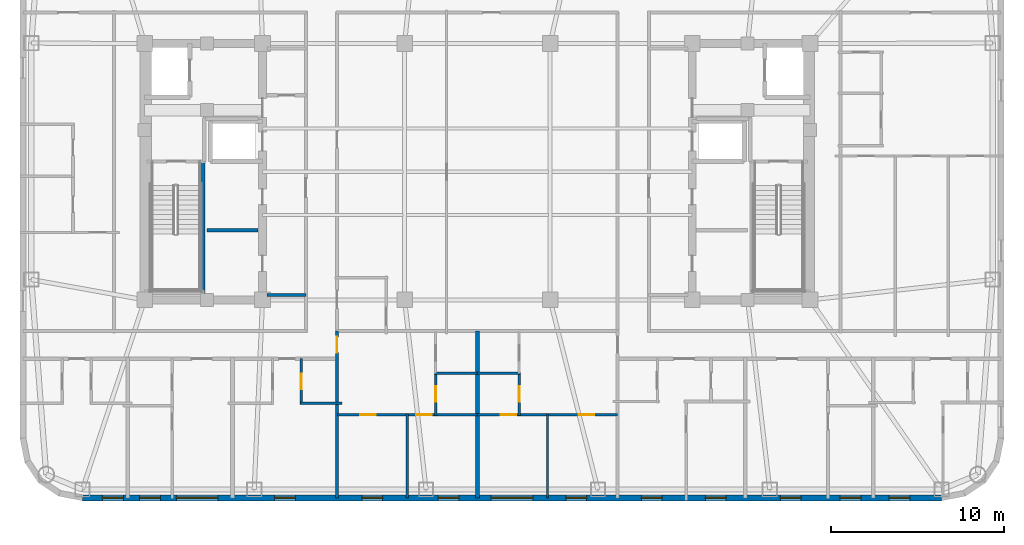
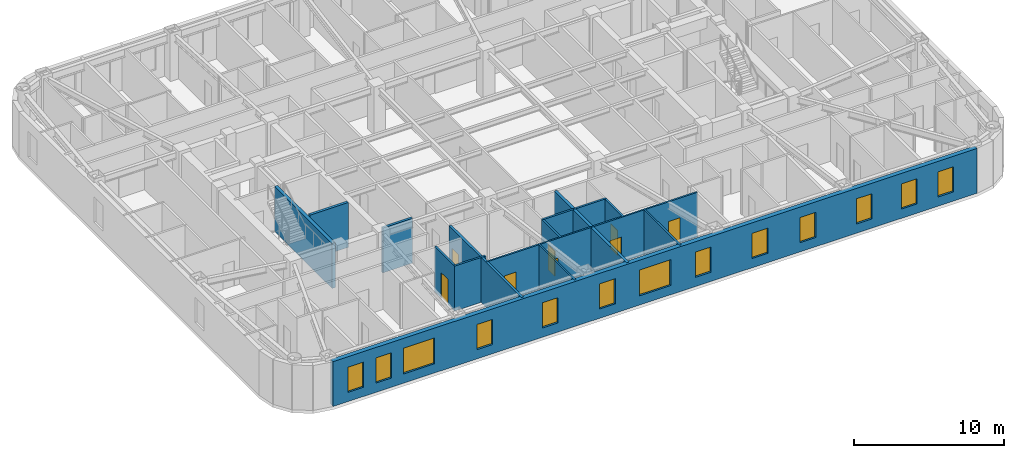
# One storey, part 3 of 11: 16 walls, 13 windows, 8 doors, 21 openings.
"""IFC4 building model written with IfcOpenShell, lengths in metres."""

import ifcopenshell
import ifcopenshell.guid

model = None  # the IFC model being written
_history = None  # IfcOwnerHistory: only IFC2X3 demands one
_inside = {}  # id of a spatial element -> (the spatial element, [elements in it])
_under = {}  # id of a project, library or spatial element -> (it, [spatial elements below it])
_declared = {}  # id of a project -> (the project, [libraries it declares])
_typed = {}  # id of a type object -> (the type object, [elements of that type])
_made_of = {}  # id of a material, layer set ... -> (it, [elements and type objects made of it])


def new_model(schema):
    """Start an empty IFC model of exactly this schema.

    Asked for "IFC4X3", IfcOpenShell would pick the latest addendum, in which some entities
    have other attributes; the version numbers below select the first issue.
    IFC2X3 requires an IfcOwnerHistory on every rooted entity: one is made here for all.
    """
    global model, _history
    if schema == "IFC4X3":
        model = ifcopenshell.file(schema_version=(4, 3, 0, 0))
    else:
        model = ifcopenshell.file(schema=schema)
    _inside.clear()
    _under.clear()
    _declared.clear()
    _typed.clear()
    _made_of.clear()
    _history = None
    if model.schema == "IFC2X3":
        org = make("IfcOrganization", Name="unknown")
        user = make(
            "IfcPersonAndOrganization",
            ThePerson=make("IfcPerson", FamilyName="unknown"),
            TheOrganization=org,
        )
        app = make(
            "IfcApplication",
            ApplicationDeveloper=org,
            Version="unknown",
            ApplicationFullName="unknown",
            ApplicationIdentifier="unknown",
        )
        _history = make(
            "IfcOwnerHistory",
            OwningUser=user,
            OwningApplication=app,
            ChangeAction="ADDED",
            CreationDate=0,
        )
    return model


def make(cls, **values):
    """One entity of the class cls with the attributes given. An attribute that is None is left unset."""
    return model.create_entity(
        cls, **{name: value for name, value in values.items() if value is not None}
    )


def rooted(cls, **values):
    """An entity with a GlobalId (a new one), such as an element, a storey or a relation."""
    return make(cls, GlobalId=ifcopenshell.guid.new(), OwnerHistory=_history, **values)


def si_unit(unit_type, name, prefix=None):
    """IfcSIUnit, for example si_unit("LENGTHUNIT", "METRE", prefix="MILLI")."""
    return make("IfcSIUnit", UnitType=unit_type, Prefix=prefix, Name=name)


def assignment(units):
    """IfcUnitAssignment: the units of a project."""
    return None if units is None else make("IfcUnitAssignment", Units=units)


def point(xyz):
    """IfcCartesianPoint."""
    return None if xyz is None else make("IfcCartesianPoint", Coordinates=xyz)


def direction(xyz):
    """IfcDirection."""
    return None if xyz is None else make("IfcDirection", DirectionRatios=xyz)


def frame(location, z_axis=None, x_axis=None):
    """IfcAxis2Placement3D, a coordinate frame: its origin and axes. An axis left out is left unset."""
    return make(
        "IfcAxis2Placement3D",
        Location=point(location),
        Axis=direction(z_axis),
        RefDirection=direction(x_axis),
    )


def frame_2d(location, x_axis=None):
    """IfcAxis2Placement2D, a coordinate frame in the plane: its origin and x axis."""
    return make(
        "IfcAxis2Placement2D", Location=point(location), RefDirection=direction(x_axis)
    )


def origin():
    """The frame at (0, 0, 0) with its axes left unset."""
    return frame((0.0, 0.0, 0.0))


def place(relative_to, where):
    """IfcLocalPlacement: puts the frame where relative to a parent placement (None: the world)."""
    return make(
        "IfcLocalPlacement", PlacementRelTo=relative_to, RelativePlacement=where
    )


def context(
    kind, dimensions, precision=None, world=None, true_north=None, identifier=None
):
    """IfcGeometricRepresentationContext, for example the 3D "Model" context."""
    return make(
        "IfcGeometricRepresentationContext",
        ContextIdentifier=identifier,
        ContextType=kind,
        CoordinateSpaceDimension=dimensions,
        Precision=precision,
        WorldCoordinateSystem=world,
        TrueNorth=true_north,
    )


def subcontext(parent, identifier, kind, view, scale=None):
    """IfcGeometricRepresentationSubContext, for example "Body" below "Model"."""
    return make(
        "IfcGeometricRepresentationSubContext",
        ContextIdentifier=identifier,
        ContextType=kind,
        ParentContext=parent,
        TargetScale=scale,
        TargetView=view,
    )


def project(units=None, contexts=None):
    """IfcProject with its units and contexts."""
    return rooted(
        "IfcProject",
        Name="project",
        RepresentationContexts=contexts,
        UnitsInContext=assignment(units),
    )


def spatial(cls, under=None, at=None, **own):
    """A site, building, storey or space (cls), placed at a placement, below another one or the project."""
    s = rooted(cls, ObjectPlacement=at, **own)
    if under is not None:
        _under.setdefault(under.id(), (under, []))[1].append(s)
    return s


def profile(cls, at=None, kind="AREA", **sizes):
    """A parametric profile (cls). Its sizes go by their IFC names, for example OverallWidth=200.0."""
    return make(cls, ProfileType=kind, Position=at, **sizes)


def rectangle(**sizes):
    """IfcRectangleProfileDef."""
    return profile("IfcRectangleProfileDef", **sizes)


def extrude(swept, where, along, depth):
    """IfcExtrudedAreaSolid: the profile swept, set in the frame where, extruded along a direction by depth."""
    return make(
        "IfcExtrudedAreaSolid",
        SweptArea=swept,
        Position=where,
        ExtrudedDirection=direction(along),
        Depth=depth,
    )


def shape(context_of_items, identifier, shape_type, items):
    """IfcShapeRepresentation: the items that make up one representation, for example the "Body"."""
    return make(
        "IfcShapeRepresentation",
        ContextOfItems=context_of_items,
        RepresentationIdentifier=identifier,
        RepresentationType=shape_type,
        Items=items,
    )


def material(Name=None, Category=None):
    """IfcMaterial."""
    return make("IfcMaterial", Name=Name, Category=Category)


def layer(
    of_material, thickness, ventilated=None, Name=None, Category=None, Priority=None
):
    """IfcMaterialLayer: one layer of a wall or slab, of a material (None: an air gap)."""
    return make(
        "IfcMaterialLayer",
        Material=of_material,
        LayerThickness=thickness,
        IsVentilated=ventilated,
        Name=Name,
        Category=Category,
        Priority=Priority,
    )


def layer_set(layers, Name=None):
    """IfcMaterialLayerSet."""
    return make("IfcMaterialLayerSet", MaterialLayers=layers, LayerSetName=Name)


def made_of(thing, what):
    """Note that an element or type object is made of a material, layer set ...; save() writes the relation."""
    if what is not None:
        _made_of.setdefault(what.id(), (what, []))[1].append(thing)
    return thing


def type_object(cls, material=None, **own):
    """A type object (cls), such as IfcWallType, which elements share."""
    return made_of(rooted(cls, **own), material)


def element(
    cls,
    number,
    at=None,
    inside=None,
    cuts=None,
    type_object=None,
    material=None,
    context=None,
    identifier="Body",
    shape_type=None,
    held_by="IfcProductDefinitionShape",
    body=None,
    shapes=None,
    **own,
):
    """One element of the class cls, such as IfcWall. Its Tag is "e" and its number.

    at: its placement. inside: the storey or other place that contains it. cuts: it is an
    opening in that element (IfcRelVoidsElement). A single representation is given by context,
    identifier, shape_type and body (its items); several are given by shapes. held_by: the class
    of the entity that holds the representations. save() writes the other relations.
    """
    e = rooted(cls, Tag="e%d" % number, ObjectPlacement=at, **own)
    if body is not None:
        shapes = [shape(context, identifier, shape_type, body)]
    if shapes is not None:
        e.Representation = make(held_by, Representations=shapes)
    if inside is not None:
        _inside.setdefault(inside.id(), (inside, []))[1].append(e)
    if cuts is not None:
        rooted(
            "IfcRelVoidsElement", RelatingBuildingElement=cuts, RelatedOpeningElement=e
        )
    if type_object is not None:
        _typed.setdefault(type_object.id(), (type_object, []))[1].append(e)
    return made_of(e, material)


def fill(opening, filler):
    """IfcRelFillsElement: the door or window that sits in an opening."""
    return rooted(
        "IfcRelFillsElement",
        RelatingOpeningElement=opening,
        RelatedBuildingElement=filler,
    )


def aggregate(whole, parts):
    """IfcRelAggregates: a whole, such as a stair, and the parts it consists of."""
    return rooted("IfcRelAggregates", RelatingObject=whole, RelatedObjects=parts)


def save(model, path):
    """Write the relations noted so far, then the file.

    IfcRelAggregates (storeys below a building ...), IfcRelContainedInSpatialStructure (elements
    in a storey), IfcRelDefinesByType, IfcRelAssociatesMaterial and IfcRelDeclares: one each for
    every whole, place, type object, material and project.
    """
    for whole, parts in _under.values():
        aggregate(whole, parts)
    for where, things in _inside.values():
        rooted(
            "IfcRelContainedInSpatialStructure",
            RelatedElements=things,
            RelatingStructure=where,
        )
    for kind, things in _typed.values():
        rooted("IfcRelDefinesByType", RelatedObjects=things, RelatingType=kind)
    for what, things in _made_of.values():
        rooted("IfcRelAssociatesMaterial", RelatedObjects=things, RelatingMaterial=what)
    for by, libraries in _declared.values():
        rooted("IfcRelDeclares", RelatingContext=by, RelatedDefinitions=libraries)
    model.write(path)


model = new_model("IFC4")

# Units and contexts
model_context = context("Model", 3, precision=1e-05, world=origin(), true_north=direction((0.0, 1.0)))
body_context = subcontext(model_context, "Body", "Model", "MODEL_VIEW")
ifc_project = project(units=[si_unit("LENGTHUNIT", "METRE"), si_unit("AREAUNIT", "SQUARE_METRE"), si_unit("VOLUMEUNIT", "CUBIC_METRE"), si_unit("PLANEANGLEUNIT", "RADIAN"), si_unit("MASSUNIT", "GRAM", prefix="KILO")], contexts=[model_context])

# Site, building, storey
site_placement = place(None, origin())
site = spatial("IfcSite", under=ifc_project, at=site_placement, CompositionType="ELEMENT")
building_placement = place(site_placement, origin())
building = spatial("IfcBuilding", under=site, at=building_placement, Name="Voryun Gate Residences", CompositionType="ELEMENT")
storey_placement = place(building_placement, frame((0.0, 0.0, 215.800048828125)))
storey = spatial("IfcBuildingStorey", under=building, at=storey_placement, Name="L53", CompositionType="ELEMENT", Elevation=215.800048828125)

# Wall
ifc_material_1 = material(Name="Gypsum acoustic fireboard")
ifc_layer_1 = layer(ifc_material_1, 0.179931640625, Name="W_CORR_RATED_180")
ifc_layer_set_1 = layer_set([ifc_layer_1], Name="Gypsum acoustic fireboard")
wall_type_1 = type_object("IfcWallType", Name="W_CORR_RATED_180", PredefinedType="PARTITIONING", material=ifc_layer_set_1)
wall_1_placement = place(storey_placement, frame((-12.14990234375, -7.1201171875, 0.0), z_axis=(0.0, 0.0, 1.0), x_axis=(1.0, 0.0, 0.0)))
element("IfcWall", 1, at=wall_1_placement, inside=storey, type_object=wall_type_1, Name="Partition wall WP-L53-PLBS-W", PredefinedType="PARTITIONING", context=body_context, shape_type="SweptSolid", body=[
    extrude(rectangle(XDim=2.27001953125, YDim=0.179931640625, at=frame_2d((1.135009765625, 0.0))), origin(), (0.0, 0.0, 1.0), 3.64990234375),
])

# Wall, opening, door
wall_2_placement = place(storey_placement, frame((-8.10009765625, -18.830078125, 0.0), z_axis=(0.0, 0.0, 1.0), x_axis=(0.0, 1.0, 0.0)))
wall_2 = element("IfcWall", 2, at=wall_2_placement, inside=storey, type_object=wall_type_1, Name="Partition wall WP-L53-SZV-1", PredefinedType="PARTITIONING", context=body_context, shape_type="SweptSolid", body=[
    extrude(rectangle(XDim=9.64013671875, YDim=0.179931640625, at=frame_2d((4.820068359375, 0.0))), origin(), (0.0, 0.0, 1.0), 3.64990234375),
])
opening_1_placement = place(wall_2_placement, frame((8.389892578125, 0.0, 0.0)))
opening_1 = element("IfcOpeningElement", 3, at=opening_1_placement, cuts=wall_2, Name="Opening D-INT-2", PredefinedType="OPENING", context=body_context, shape_type="SweptSolid", body=[
    extrude(rectangle(XDim=0.89990234375, YDim=2.050048828125, at=frame_2d((0.449951171875, 1.02490234375))), frame((0.0, 0.099853515625, 0.0), z_axis=(0.0, -1.0, 0.0), x_axis=(1.0, 0.0, 0.0)), (0.0, 0.0, 1.0), 0.199951171875),
])
ifc_material_2 = material(Name="Architectural oak veneer")
door_type = type_object("IfcDoorType", Name="DR_INT_BATH_900", OperationType="NOTDEFINED", PredefinedType="DOOR", material=ifc_material_2)
door_1_placement = place(opening_1_placement, origin())
door_1 = element("IfcDoor", 4, at=door_1_placement, inside=storey, type_object=door_type, Name="Door DR-L53-SZENT-1", OperationType="SINGLE_SWING_LEFT", OverallHeight=2.050048828125, OverallWidth=0.89990234375, PredefinedType="DOOR", context=body_context, shape_type="SweptSolid", body=[
    extrude(rectangle(XDim=0.89990234375, YDim=2.050048828125, at=frame_2d((0.449951171875, 1.02490234375))), frame((0.0, 0.02490234375, 0.0), z_axis=(0.0, -1.0, 0.0), x_axis=(1.0, 0.0, 0.0)), (0.0, 0.0, 1.0), 0.050048828125),
])
fill(opening_1, door_1)

# Wall, openings, windows
ifc_material_3 = material(Name="Charcoal terracotta masonry", Category="masonry")
ifc_layer_2 = layer(ifc_material_3, 0.340087890625, Name="W_EXT_TERRACOTTA_340")
ifc_layer_set_2 = layer_set([ifc_layer_2], Name="Charcoal terracotta masonry")
wall_type_2 = type_object("IfcWallType", Name="W_EXT_TERRACOTTA_340", PredefinedType="ELEMENTEDWALL", material=ifc_layer_set_2)
wall_3_placement = place(storey_placement, frame((26.783203125, -18.830078125, 0.0), z_axis=(0.0, 0.0, 1.0), x_axis=(-1.0, 0.0, 0.0)))
wall_3 = element("IfcWall", 5, at=wall_3_placement, inside=storey, type_object=wall_type_2, Name="Exterior wall WEXT-L53-01", PredefinedType="ELEMENTEDWALL", context=body_context, shape_type="SweptSolid", body=[
    extrude(rectangle(XDim=49.56640625, YDim=0.340087890625, at=frame_2d((24.783203125, 0.0))), origin(), (0.0, 0.0, 1.0), 3.64990234375),
])
opening_2_placement = place(wall_3_placement, frame((23.583251953125, 0.0, 0.75)))
opening_2 = element("IfcOpeningElement", 6, at=opening_2_placement, cuts=wall_3, Name="Opening WN2", PredefinedType="OPENING", context=body_context, shape_type="SweptSolid", body=[
    extrude(rectangle(XDim=2.39990234375, YDim=2.10009765625, at=frame_2d((1.199951171875, 1.050048828125))), frame((0.0, 0.179931640625, 0.0), z_axis=(0.0, -1.0, 0.0), x_axis=(1.0, 0.0, 0.0)), (0.0, 0.0, 1.0), 0.360107421875),
])
opening_3_placement = place(wall_3_placement, frame((41.755615234375, 0.0, 0.75)))
opening_3 = element("IfcOpeningElement", 7, at=opening_3_placement, cuts=wall_3, Name="Opening WN2", PredefinedType="OPENING", context=body_context, shape_type="SweptSolid", body=[
    extrude(rectangle(XDim=2.39990234375, YDim=2.10009765625, at=frame_2d((1.199951171875, 1.050048828125))), frame((0.0, 0.179931640625, 0.0), z_axis=(0.0, -1.0, 0.0), x_axis=(1.0, 0.0, 0.0)), (0.0, 0.0, 1.0), 0.360107421875),
])
opening_4_placement = place(wall_3_placement, frame((47.222412109375, 0.0, 0.75)))
opening_4 = element("IfcOpeningElement", 8, at=opening_4_placement, cuts=wall_3, Name="Opening WN6", PredefinedType="OPENING", context=body_context, shape_type="SweptSolid", body=[
    extrude(rectangle(XDim=1.199951171875, YDim=2.050048828125, at=frame_2d((0.60009765625, 1.02490234375))), frame((0.0, 0.179931640625, 0.0), z_axis=(0.0, -1.0, 0.0), x_axis=(1.0, 0.0, 0.0)), (0.0, 0.0, 1.0), 0.360107421875),
])
opening_5_placement = place(wall_3_placement, frame((45.080322265625, 0.0, 0.75)))
opening_5 = element("IfcOpeningElement", 9, at=opening_5_placement, cuts=wall_3, Name="Opening WN6", PredefinedType="OPENING", context=body_context, shape_type="SweptSolid", body=[
    extrude(rectangle(XDim=1.199951171875, YDim=2.050048828125, at=frame_2d((0.60009765625, 1.02490234375))), frame((0.0, 0.179931640625, 0.0), z_axis=(0.0, -1.0, 0.0), x_axis=(1.0, 0.0, 0.0)), (0.0, 0.0, 1.0), 0.360107421875),
])
opening_6_placement = place(wall_3_placement, frame((37.289306640625, 0.0, 0.75)))
opening_6 = element("IfcOpeningElement", 10, at=opening_6_placement, cuts=wall_3, Name="Opening WN6", PredefinedType="OPENING", context=body_context, shape_type="SweptSolid", body=[
    extrude(rectangle(XDim=1.199951171875, YDim=2.050048828125, at=frame_2d((0.60009765625, 1.02490234375))), frame((0.0, 0.179931640625, 0.0), z_axis=(0.0, -1.0, 0.0), x_axis=(1.0, 0.0, 0.0)), (0.0, 0.0, 1.0), 0.360107421875),
])
opening_7_placement = place(wall_3_placement, frame((16.115234375, 0.0, 0.75)))
opening_7 = element("IfcOpeningElement", 11, at=opening_7_placement, cuts=wall_3, Name="Opening WN6", PredefinedType="OPENING", context=body_context, shape_type="SweptSolid", body=[
    extrude(rectangle(XDim=1.199951171875, YDim=2.050048828125, at=frame_2d((0.60009765625, 1.02490234375))), frame((0.0, 0.179931640625, 0.0), z_axis=(0.0, -1.0, 0.0), x_axis=(1.0, 0.0, 0.0)), (0.0, 0.0, 1.0), 0.360107421875),
])
opening_8_placement = place(wall_3_placement, frame((12.42236328125, 0.0, 0.75)))
opening_8 = element("IfcOpeningElement", 12, at=opening_8_placement, cuts=wall_3, Name="Opening WN6", PredefinedType="OPENING", context=body_context, shape_type="SweptSolid", body=[
    extrude(rectangle(XDim=1.199951171875, YDim=2.050048828125, at=frame_2d((0.60009765625, 1.02490234375))), frame((0.0, 0.179931640625, 0.0), z_axis=(0.0, -1.0, 0.0), x_axis=(1.0, 0.0, 0.0)), (0.0, 0.0, 1.0), 0.360107421875),
])
opening_9_placement = place(wall_3_placement, frame((8.08984375, 0.0, 0.75)))
opening_9 = element("IfcOpeningElement", 13, at=opening_9_placement, cuts=wall_3, Name="Opening WN6", PredefinedType="OPENING", context=body_context, shape_type="SweptSolid", body=[
    extrude(rectangle(XDim=1.199951171875, YDim=2.050048828125, at=frame_2d((0.60009765625, 1.02490234375))), frame((0.0, 0.179931640625, 0.0), z_axis=(0.0, -1.0, 0.0), x_axis=(1.0, 0.0, 0.0)), (0.0, 0.0, 1.0), 0.360107421875),
])
opening_10_placement = place(wall_3_placement, frame((4.63720703125, 0.0, 0.75)))
opening_10 = element("IfcOpeningElement", 14, at=opening_10_placement, cuts=wall_3, Name="Opening WN6", PredefinedType="OPENING", context=body_context, shape_type="SweptSolid", body=[
    extrude(rectangle(XDim=1.199951171875, YDim=2.050048828125, at=frame_2d((0.60009765625, 1.02490234375))), frame((0.0, 0.179931640625, 0.0), z_axis=(0.0, -1.0, 0.0), x_axis=(1.0, 0.0, 0.0)), (0.0, 0.0, 1.0), 0.360107421875),
])
opening_11_placement = place(wall_3_placement, frame((1.81103515625, 0.0, 0.75)))
opening_11 = element("IfcOpeningElement", 15, at=opening_11_placement, cuts=wall_3, Name="Opening WN6", PredefinedType="OPENING", context=body_context, shape_type="SweptSolid", body=[
    extrude(rectangle(XDim=1.199951171875, YDim=2.050048828125, at=frame_2d((0.60009765625, 1.02490234375))), frame((0.0, 0.179931640625, 0.0), z_axis=(0.0, -1.0, 0.0), x_axis=(1.0, 0.0, 0.0)), (0.0, 0.0, 1.0), 0.360107421875),
])
opening_12_placement = place(wall_3_placement, frame((32.25341796875, 0.0, 0.75)))
opening_12 = element("IfcOpeningElement", 16, at=opening_12_placement, cuts=wall_3, Name="Opening WN6", PredefinedType="OPENING", context=body_context, shape_type="SweptSolid", body=[
    extrude(rectangle(XDim=1.199951171875, YDim=2.050048828125, at=frame_2d((0.60009765625, 1.02490234375))), frame((0.0, 0.179931640625, 0.0), z_axis=(0.0, -1.0, 0.0), x_axis=(1.0, 0.0, 0.0)), (0.0, 0.0, 1.0), 0.360107421875),
])
opening_13_placement = place(wall_3_placement, frame((27.853271484375, 0.0, 0.75)))
opening_13 = element("IfcOpeningElement", 17, at=opening_13_placement, cuts=wall_3, Name="Opening WN6", PredefinedType="OPENING", context=body_context, shape_type="SweptSolid", body=[
    extrude(rectangle(XDim=1.199951171875, YDim=2.050048828125, at=frame_2d((0.60009765625, 1.02490234375))), frame((0.0, 0.179931640625, 0.0), z_axis=(0.0, -1.0, 0.0), x_axis=(1.0, 0.0, 0.0)), (0.0, 0.0, 1.0), 0.360107421875),
])
opening_14_placement = place(wall_3_placement, frame((20.473388671875, 0.0, 0.75)))
opening_14 = element("IfcOpeningElement", 18, at=opening_14_placement, cuts=wall_3, Name="Opening WN6", PredefinedType="OPENING", context=body_context, shape_type="SweptSolid", body=[
    extrude(rectangle(XDim=1.199951171875, YDim=2.050048828125, at=frame_2d((0.60009765625, 1.02490234375))), frame((0.0, 0.179931640625, 0.0), z_axis=(0.0, -1.0, 0.0), x_axis=(1.0, 0.0, 0.0)), (0.0, 0.0, 1.0), 0.360107421875),
])
ifc_material_4 = material(Name="Laminated low-E glass", Category="glass")
window_type_1 = type_object("IfcWindowType", Name="WN_POD_SLOT_1200", PartitioningType="SINGLE_PANEL", PredefinedType="WINDOW", material=ifc_material_4)
window_1_placement = place(opening_4_placement, origin())
window_1 = element("IfcWindow", 19, at=window_1_placement, inside=storey, type_object=window_type_1, Name="Window WN-L53-DWFIX-15", OverallHeight=2.050048828125, OverallWidth=1.199951171875, PartitioningType="SINGLE_PANEL", PredefinedType="WINDOW", context=body_context, shape_type="SweptSolid", body=[
    extrude(rectangle(XDim=1.199951171875, YDim=2.050048828125, at=frame_2d((0.60009765625, 1.02490234375))), frame((0.0, 0.030029296875, 0.0), z_axis=(0.0, -1.0, 0.0), x_axis=(1.0, 0.0, 0.0)), (0.0, 0.0, 1.0), 0.06005859375),
])
fill(opening_4, window_1)
window_2_placement = place(opening_5_placement, origin())
window_2 = element("IfcWindow", 20, at=window_2_placement, inside=storey, type_object=window_type_1, Name="Window WN-L53-DWFIX-16", OverallHeight=2.050048828125, OverallWidth=1.199951171875, PartitioningType="SINGLE_PANEL", PredefinedType="WINDOW", context=body_context, shape_type="SweptSolid", body=[
    extrude(rectangle(XDim=1.199951171875, YDim=2.050048828125, at=frame_2d((0.60009765625, 1.02490234375))), frame((0.0, 0.030029296875, 0.0), z_axis=(0.0, -1.0, 0.0), x_axis=(1.0, 0.0, 0.0)), (0.0, 0.0, 1.0), 0.06005859375),
])
fill(opening_5, window_2)
window_3_placement = place(opening_6_placement, origin())
window_3 = element("IfcWindow", 21, at=window_3_placement, inside=storey, type_object=window_type_1, Name="Window WN-L53-DWFIX-17", OverallHeight=2.050048828125, OverallWidth=1.199951171875, PartitioningType="SINGLE_PANEL", PredefinedType="WINDOW", context=body_context, shape_type="SweptSolid", body=[
    extrude(rectangle(XDim=1.199951171875, YDim=2.050048828125, at=frame_2d((0.60009765625, 1.02490234375))), frame((0.0, 0.030029296875, 0.0), z_axis=(0.0, -1.0, 0.0), x_axis=(1.0, 0.0, 0.0)), (0.0, 0.0, 1.0), 0.06005859375),
])
fill(opening_6, window_3)
window_4_placement = place(opening_7_placement, origin())
window_4 = element("IfcWindow", 22, at=window_4_placement, inside=storey, type_object=window_type_1, Name="Window WN-L53-DWFIX-18", OverallHeight=2.050048828125, OverallWidth=1.199951171875, PartitioningType="SINGLE_PANEL", PredefinedType="WINDOW", context=body_context, shape_type="SweptSolid", body=[
    extrude(rectangle(XDim=1.199951171875, YDim=2.050048828125, at=frame_2d((0.60009765625, 1.02490234375))), frame((0.0, 0.030029296875, 0.0), z_axis=(0.0, -1.0, 0.0), x_axis=(1.0, 0.0, 0.0)), (0.0, 0.0, 1.0), 0.06005859375),
])
fill(opening_7, window_4)
window_5_placement = place(opening_8_placement, origin())
window_5 = element("IfcWindow", 23, at=window_5_placement, inside=storey, type_object=window_type_1, Name="Window WN-L53-DWFIX-19", OverallHeight=2.050048828125, OverallWidth=1.199951171875, PartitioningType="SINGLE_PANEL", PredefinedType="WINDOW", context=body_context, shape_type="SweptSolid", body=[
    extrude(rectangle(XDim=1.199951171875, YDim=2.050048828125, at=frame_2d((0.60009765625, 1.02490234375))), frame((0.0, 0.030029296875, 0.0), z_axis=(0.0, -1.0, 0.0), x_axis=(1.0, 0.0, 0.0)), (0.0, 0.0, 1.0), 0.06005859375),
])
fill(opening_8, window_5)
window_6_placement = place(opening_9_placement, origin())
window_6 = element("IfcWindow", 24, at=window_6_placement, inside=storey, type_object=window_type_1, Name="Window WN-L53-DWFIX-20", OverallHeight=2.050048828125, OverallWidth=1.199951171875, PartitioningType="SINGLE_PANEL", PredefinedType="WINDOW", context=body_context, shape_type="SweptSolid", body=[
    extrude(rectangle(XDim=1.199951171875, YDim=2.050048828125, at=frame_2d((0.60009765625, 1.02490234375))), frame((0.0, 0.030029296875, 0.0), z_axis=(0.0, -1.0, 0.0), x_axis=(1.0, 0.0, 0.0)), (0.0, 0.0, 1.0), 0.06005859375),
])
fill(opening_9, window_6)
window_7_placement = place(opening_10_placement, origin())
window_7 = element("IfcWindow", 25, at=window_7_placement, inside=storey, type_object=window_type_1, Name="Window WN-L53-DWFIX-21", OverallHeight=2.050048828125, OverallWidth=1.199951171875, PartitioningType="SINGLE_PANEL", PredefinedType="WINDOW", context=body_context, shape_type="SweptSolid", body=[
    extrude(rectangle(XDim=1.199951171875, YDim=2.050048828125, at=frame_2d((0.60009765625, 1.02490234375))), frame((0.0, 0.030029296875, 0.0), z_axis=(0.0, -1.0, 0.0), x_axis=(1.0, 0.0, 0.0)), (0.0, 0.0, 1.0), 0.06005859375),
])
fill(opening_10, window_7)
window_8_placement = place(opening_11_placement, origin())
window_8 = element("IfcWindow", 26, at=window_8_placement, inside=storey, type_object=window_type_1, Name="Window WN-L53-DWFIX-22", OverallHeight=2.050048828125, OverallWidth=1.199951171875, PartitioningType="SINGLE_PANEL", PredefinedType="WINDOW", context=body_context, shape_type="SweptSolid", body=[
    extrude(rectangle(XDim=1.199951171875, YDim=2.050048828125, at=frame_2d((0.60009765625, 1.02490234375))), frame((0.0, 0.030029296875, 0.0), z_axis=(0.0, -1.0, 0.0), x_axis=(1.0, 0.0, 0.0)), (0.0, 0.0, 1.0), 0.06005859375),
])
fill(opening_11, window_8)
window_9_placement = place(opening_12_placement, origin())
window_9 = element("IfcWindow", 27, at=window_9_placement, inside=storey, type_object=window_type_1, Name="Window WN-L53-DWFIX-24", OverallHeight=2.050048828125, OverallWidth=1.199951171875, PartitioningType="SINGLE_PANEL", PredefinedType="WINDOW", context=body_context, shape_type="SweptSolid", body=[
    extrude(rectangle(XDim=1.199951171875, YDim=2.050048828125, at=frame_2d((0.60009765625, 1.02490234375))), frame((0.0, 0.030029296875, 0.0), z_axis=(0.0, -1.0, 0.0), x_axis=(1.0, 0.0, 0.0)), (0.0, 0.0, 1.0), 0.06005859375),
])
fill(opening_12, window_9)
window_10_placement = place(opening_13_placement, origin())
window_10 = element("IfcWindow", 28, at=window_10_placement, inside=storey, type_object=window_type_1, Name="Window WN-L53-DWFIX-25", OverallHeight=2.050048828125, OverallWidth=1.199951171875, PartitioningType="SINGLE_PANEL", PredefinedType="WINDOW", context=body_context, shape_type="SweptSolid", body=[
    extrude(rectangle(XDim=1.199951171875, YDim=2.050048828125, at=frame_2d((0.60009765625, 1.02490234375))), frame((0.0, 0.030029296875, 0.0), z_axis=(0.0, -1.0, 0.0), x_axis=(1.0, 0.0, 0.0)), (0.0, 0.0, 1.0), 0.06005859375),
])
fill(opening_13, window_10)
window_11_placement = place(opening_14_placement, origin())
window_11 = element("IfcWindow", 29, at=window_11_placement, inside=storey, type_object=window_type_1, Name="Window WN-L53-DWFIX-26", OverallHeight=2.050048828125, OverallWidth=1.199951171875, PartitioningType="SINGLE_PANEL", PredefinedType="WINDOW", context=body_context, shape_type="SweptSolid", body=[
    extrude(rectangle(XDim=1.199951171875, YDim=2.050048828125, at=frame_2d((0.60009765625, 1.02490234375))), frame((0.0, 0.030029296875, 0.0), z_axis=(0.0, -1.0, 0.0), x_axis=(1.0, 0.0, 0.0)), (0.0, 0.0, 1.0), 0.06005859375),
])
fill(opening_14, window_11)
ifc_material_5 = material(Name="Laminated low-E glass", Category="glass")
window_type_2 = type_object("IfcWindowType", Name="WN_RES_WIDE_2400", PartitioningType="SINGLE_PANEL", PredefinedType="WINDOW", material=ifc_material_5)
window_12_placement = place(opening_2_placement, origin())
window_12 = element("IfcWindow", 30, at=window_12_placement, inside=storey, type_object=window_type_2, Name="Window WN-WEXT-L53-01-02", OverallHeight=2.10009765625, OverallWidth=2.39990234375, PartitioningType="SINGLE_PANEL", PredefinedType="WINDOW", context=body_context, shape_type="SweptSolid", body=[
    extrude(rectangle(XDim=2.39990234375, YDim=2.10009765625, at=frame_2d((1.199951171875, 1.050048828125))), frame((0.0, 0.030029296875, 0.0), z_axis=(0.0, -1.0, 0.0), x_axis=(1.0, 0.0, 0.0)), (0.0, 0.0, 1.0), 0.06005859375),
])
fill(opening_2, window_12)
window_13_placement = place(opening_3_placement, origin())
window_13 = element("IfcWindow", 31, at=window_13_placement, inside=storey, type_object=window_type_2, Name="Window WN-WEXT-L53-01-03", OverallHeight=2.10009765625, OverallWidth=2.39990234375, PartitioningType="SINGLE_PANEL", PredefinedType="WINDOW", context=body_context, shape_type="SweptSolid", body=[
    extrude(rectangle(XDim=2.39990234375, YDim=2.10009765625, at=frame_2d((1.199951171875, 1.050048828125))), frame((0.0, 0.030029296875, 0.0), z_axis=(0.0, -1.0, 0.0), x_axis=(1.0, 0.0, 0.0)), (0.0, 0.0, 1.0), 0.06005859375),
])
fill(opening_3, window_13)

# Walls
ifc_material_6 = material(Name="Concrete C40/50", Category="concrete")
ifc_layer_3 = layer(ifc_material_6, 0.199951171875, Name="W_FF_LOBBY_200")
ifc_layer_set_3 = layer_set([ifc_layer_3], Name="Concrete C40/50")
wall_type_3 = type_object("IfcWallType", Name="W_FF_LOBBY_200", PredefinedType="PARTITIONING", material=ifc_layer_set_3)
wall_4_placement = place(storey_placement, frame((-15.60009765625, -3.389892578125, 0.0), z_axis=(0.0, 0.0, 1.0), x_axis=(1.0, 0.0, 0.0)))
element("IfcWall", 32, at=wall_4_placement, inside=storey, type_object=wall_type_3, Name="Partition wall WP-L53-RECEY-W", PredefinedType="PARTITIONING", context=body_context, shape_type="SweptSolid", body=[
    extrude(rectangle(XDim=2.940185546875, YDim=0.199951171875, at=frame_2d((1.47021484375, 0.0))), origin(), (0.0, 0.0, 1.0), 3.64990234375),
])
ifc_material_7 = material(Name="Concrete C40/50", Category="concrete")
ifc_layer_4 = layer(ifc_material_7, 0.219970703125, Name="W_PARTY_ACOUSTIC_220")
ifc_layer_set_4 = layer_set([ifc_layer_4], Name="Concrete C40/50")
wall_type_4 = type_object("IfcWallType", Name="W_PARTY_ACOUSTIC_220", PredefinedType="PARTITIONING", material=ifc_layer_set_4)
wall_5_placement = place(storey_placement, frame((0.0, -18.830078125, 0.0), z_axis=(0.0, 0.0, 1.0), x_axis=(0.0, 1.0, 0.0)))
element("IfcWall", 33, at=wall_5_placement, inside=storey, type_object=wall_type_4, Name="Partition wall WP-L53-SZMID", PredefinedType="PARTITIONING", context=body_context, shape_type="SweptSolid", body=[
    extrude(rectangle(XDim=9.64013671875, YDim=0.219970703125, at=frame_2d((4.820068359375, 0.0))), origin(), (0.0, 0.0, 1.0), 3.64990234375),
])
ifc_material_8 = material(Name="Concrete C50/60", Category="concrete")
ifc_layer_5 = layer(ifc_material_8, 0.25, Name="W_SHAFT_RC250")
ifc_layer_set_5 = layer_set([ifc_layer_5], Name="Concrete C50/60")
wall_type_5 = type_object("IfcWallType", Name="W_SHAFT_RC250", PredefinedType="SOLIDWALL", material=ifc_layer_set_5)
wall_6_placement = place(storey_placement, frame((-15.860107421875, -7.0849609375, 0.0), z_axis=(0.0, 0.0, 1.0), x_axis=(0.0, 1.0, 0.0)))
element("IfcWall", 34, at=wall_6_placement, inside=storey, type_object=wall_type_5, Name="L53 Stair shaft structural wall W-STR", PredefinedType="SOLIDWALL", context=body_context, shape_type="SweptSolid", body=[
    extrude(rectangle(XDim=7.68505859375, YDim=0.25, at=frame_2d((3.842529296875, 0.0))), origin(), (0.0, 0.0, 1.0), 3.64990234375),
])

# Wall, openings, doors
ifc_material_9 = material(Name="Gypsum acoustic partition")
ifc_layer_6 = layer(ifc_material_9, 0.125, Name="W_UNIT_PART_125")
ifc_layer_set_6 = layer_set([ifc_layer_6], Name="Gypsum acoustic partition")
wall_type_6 = type_object("IfcWallType", Name="W_UNIT_PART_125", PredefinedType="PARTITIONING", material=ifc_layer_set_6)
wall_7_placement = place(storey_placement, frame((-8.080078125, -14.030029296875, 0.0), z_axis=(0.0, 0.0, 1.0), x_axis=(1.0, 0.0, 0.0)))
wall_7 = element("IfcWall", 35, at=wall_7_placement, inside=storey, type_object=wall_type_6, Name="Partition wall WP-L53-SC1-HZ", PredefinedType="PARTITIONING", context=body_context, shape_type="SweptSolid", body=[
    extrude(rectangle(XDim=8.06005859375, YDim=0.125, at=frame_2d((4.030029296875, 0.0))), origin(), (0.0, 0.0, 1.0), 3.64990234375),
])
opening_15_placement = place(wall_7_placement, frame((1.3232421875, 0.0, 0.0)))
opening_15 = element("IfcOpeningElement", 36, at=opening_15_placement, cuts=wall_7, Name="Opening D-INT-2", PredefinedType="OPENING", context=body_context, shape_type="SweptSolid", body=[
    extrude(rectangle(XDim=0.89990234375, YDim=2.050048828125, at=frame_2d((0.449951171875, 1.02490234375))), frame((0.0, 0.072509765625, 0.0), z_axis=(0.0, -1.0, 0.0), x_axis=(1.0, 0.0, 0.0)), (0.0, 0.0, 1.0), 0.14501953125),
])
opening_16_placement = place(wall_7_placement, frame((4.547119140625, 0.0, 0.0)))
opening_16 = element("IfcOpeningElement", 37, at=opening_16_placement, cuts=wall_7, Name="Opening D-INT-2", PredefinedType="OPENING", context=body_context, shape_type="SweptSolid", body=[
    extrude(rectangle(XDim=0.89990234375, YDim=2.050048828125, at=frame_2d((0.449951171875, 1.02490234375))), frame((0.0, 0.072509765625, 0.0), z_axis=(0.0, -1.0, 0.0), x_axis=(1.0, 0.0, 0.0)), (0.0, 0.0, 1.0), 0.14501953125),
])
door_2_placement = place(opening_15_placement, origin())
door_2 = element("IfcDoor", 38, at=door_2_placement, inside=storey, type_object=door_type, Name="Door DR-L53-SC1-DMB", OperationType="SINGLE_SWING_LEFT", OverallHeight=2.050048828125, OverallWidth=0.89990234375, PredefinedType="DOOR", context=body_context, shape_type="SweptSolid", body=[
    extrude(rectangle(XDim=0.89990234375, YDim=2.050048828125, at=frame_2d((0.449951171875, 1.02490234375))), frame((0.0, 0.02490234375, 0.0), z_axis=(0.0, -1.0, 0.0), x_axis=(1.0, 0.0, 0.0)), (0.0, 0.0, 1.0), 0.050048828125),
])
fill(opening_15, door_2)
door_3_placement = place(opening_16_placement, origin())
door_3 = element("IfcDoor", 39, at=door_3_placement, inside=storey, type_object=door_type, Name="Door DR-L53-SC1-DBD2", OperationType="SINGLE_SWING_RIGHT", OverallHeight=2.050048828125, OverallWidth=0.89990234375, PredefinedType="DOOR", context=body_context, shape_type="SweptSolid", body=[
    extrude(rectangle(XDim=0.89990234375, YDim=2.050048828125, at=frame_2d((0.449951171875, 1.02490234375))), frame((0.0, 0.02490234375, 0.0), z_axis=(0.0, -1.0, 0.0), x_axis=(1.0, 0.0, 0.0)), (0.0, 0.0, 1.0), 0.050048828125),
])
fill(opening_16, door_3)

# Wall
wall_8_placement = place(storey_placement, frame((-4.050048828125, -18.830078125, 0.0), z_axis=(0.0, 0.0, 1.0), x_axis=(0.0, 1.0, 0.0)))
element("IfcWall", 40, at=wall_8_placement, inside=storey, type_object=wall_type_6, Name="Partition wall WP-L53-SC1-VBD", PredefinedType="PARTITIONING", context=body_context, shape_type="SweptSolid", body=[
    extrude(rectangle(XDim=4.840087890625, YDim=0.125, at=frame_2d((2.419921875, 0.0))), origin(), (0.0, 0.0, 1.0), 3.64990234375),
])

# Wall, openings, doors
wall_9_placement = place(storey_placement, frame((0.02001953125, -14.030029296875, 0.0), z_axis=(0.0, 0.0, 1.0), x_axis=(1.0, 0.0, 0.0)))
wall_9 = element("IfcWall", 41, at=wall_9_placement, inside=storey, type_object=wall_type_6, Name="Partition wall WP-L53-SC2-HZ", PredefinedType="PARTITIONING", context=body_context, shape_type="SweptSolid", body=[
    extrude(rectangle(XDim=8.06005859375, YDim=0.125, at=frame_2d((4.030029296875, 0.0))), origin(), (0.0, 0.0, 1.0), 3.64990234375),
])
opening_17_placement = place(wall_9_placement, frame((1.3232421875, 0.0, 0.0)))
opening_17 = element("IfcOpeningElement", 42, at=opening_17_placement, cuts=wall_9, Name="Opening D-INT-2", PredefinedType="OPENING", context=body_context, shape_type="SweptSolid", body=[
    extrude(rectangle(XDim=0.89990234375, YDim=2.050048828125, at=frame_2d((0.449951171875, 1.02490234375))), frame((0.0, 0.072509765625, 0.0), z_axis=(0.0, -1.0, 0.0), x_axis=(1.0, 0.0, 0.0)), (0.0, 0.0, 1.0), 0.14501953125),
])
opening_18_placement = place(wall_9_placement, frame((5.8369140625, 0.0, 0.0)))
opening_18 = element("IfcOpeningElement", 43, at=opening_18_placement, cuts=wall_9, Name="Opening D-INT-2", PredefinedType="OPENING", context=body_context, shape_type="SweptSolid", body=[
    extrude(rectangle(XDim=0.89990234375, YDim=2.050048828125, at=frame_2d((0.449951171875, 1.02490234375))), frame((0.0, 0.072509765625, 0.0), z_axis=(0.0, -1.0, 0.0), x_axis=(1.0, 0.0, 0.0)), (0.0, 0.0, 1.0), 0.14501953125),
])
door_4_placement = place(opening_17_placement, origin())
door_4 = element("IfcDoor", 44, at=door_4_placement, inside=storey, type_object=door_type, Name="Door DR-L53-SC2-DMB", OperationType="SINGLE_SWING_LEFT", OverallHeight=2.050048828125, OverallWidth=0.89990234375, PredefinedType="DOOR", context=body_context, shape_type="SweptSolid", body=[
    extrude(rectangle(XDim=0.89990234375, YDim=2.050048828125, at=frame_2d((0.449951171875, 1.02490234375))), frame((0.0, 0.02490234375, 0.0), z_axis=(0.0, -1.0, 0.0), x_axis=(1.0, 0.0, 0.0)), (0.0, 0.0, 1.0), 0.050048828125),
])
fill(opening_17, door_4)
door_5_placement = place(opening_18_placement, origin())
door_5 = element("IfcDoor", 45, at=door_5_placement, inside=storey, type_object=door_type, Name="Door DR-L53-SC2-DBD2", OperationType="SINGLE_SWING_RIGHT", OverallHeight=2.050048828125, OverallWidth=0.89990234375, PredefinedType="DOOR", context=body_context, shape_type="SweptSolid", body=[
    extrude(rectangle(XDim=0.89990234375, YDim=2.050048828125, at=frame_2d((0.449951171875, 1.02490234375))), frame((0.0, 0.02490234375, 0.0), z_axis=(0.0, -1.0, 0.0), x_axis=(1.0, 0.0, 0.0)), (0.0, 0.0, 1.0), 0.050048828125),
])
fill(opening_18, door_5)

# Wall
wall_10_placement = place(storey_placement, frame((4.050048828125, -18.830078125, 0.0), z_axis=(0.0, 0.0, 1.0), x_axis=(0.0, 1.0, 0.0)))
element("IfcWall", 46, at=wall_10_placement, inside=storey, type_object=wall_type_6, Name="Partition wall WP-L53-SC2-VBD", PredefinedType="PARTITIONING", context=body_context, shape_type="SweptSolid", body=[
    extrude(rectangle(XDim=4.840087890625, YDim=0.125, at=frame_2d((2.419921875, 0.0))), origin(), (0.0, 0.0, 1.0), 3.64990234375),
])

# Wall, opening, door
ifc_material_10 = material(Name="Gypsum moisture-resistant partition")
ifc_layer_7 = layer(ifc_material_10, 0.14990234375, Name="W_WET_PLUMB_150")
ifc_layer_set_7 = layer_set([ifc_layer_7], Name="Gypsum moisture-resistant partition")
wall_type_7 = type_object("IfcWallType", Name="W_WET_PLUMB_150", PredefinedType="PLUMBINGWALL", material=ifc_layer_set_7)
wall_11_placement = place(storey_placement, frame((-10.156982421875, -13.429931640625, 0.0), z_axis=(0.0, 0.0, 1.0), x_axis=(0.0, 1.0, 0.0)))
wall_11 = element("IfcWall", 47, at=wall_11_placement, inside=storey, type_object=wall_type_7, Name="Partition wall WP-L53-S3-CVB", PredefinedType="PLUMBINGWALL", context=body_context, shape_type="SweptSolid", body=[
    extrude(rectangle(XDim=2.64990234375, YDim=0.14990234375, at=frame_2d((1.324951171875, 0.0))), origin(), (0.0, 0.0, 1.0), 3.64990234375),
])
opening_19_placement = place(wall_11_placement, frame((0.875, 0.0, 0.0)))
opening_19 = element("IfcOpeningElement", 48, at=opening_19_placement, cuts=wall_11, Name="Opening D-INT-2", PredefinedType="OPENING", context=body_context, shape_type="SweptSolid", body=[
    extrude(rectangle(XDim=0.89990234375, YDim=2.050048828125, at=frame_2d((0.449951171875, 1.02490234375))), frame((0.0, 0.0849609375, 0.0), z_axis=(0.0, -1.0, 0.0), x_axis=(1.0, 0.0, 0.0)), (0.0, 0.0, 1.0), 0.169921875),
])
door_6_placement = place(opening_19_placement, origin())
door_6 = element("IfcDoor", 49, at=door_6_placement, inside=storey, type_object=door_type, Name="Door DR-L53-S3-DB", OperationType="SINGLE_SWING_RIGHT", OverallHeight=2.050048828125, OverallWidth=0.89990234375, PredefinedType="DOOR", context=body_context, shape_type="SweptSolid", body=[
    extrude(rectangle(XDim=0.89990234375, YDim=2.050048828125, at=frame_2d((0.449951171875, 1.02490234375))), frame((0.0, 0.02490234375, 0.0), z_axis=(0.0, -1.0, 0.0), x_axis=(1.0, 0.0, 0.0)), (0.0, 0.0, 1.0), 0.050048828125),
])
fill(opening_19, door_6)

# Wall
wall_12_placement = place(storey_placement, frame((-10.217041015625, -13.3701171875, 0.0), z_axis=(0.0, 0.0, 1.0), x_axis=(1.0, 0.0, 0.0)))
element("IfcWall", 50, at=wall_12_placement, inside=storey, type_object=wall_type_7, Name="Partition wall WP-L53-S3-CHB", PredefinedType="PLUMBINGWALL", context=body_context, shape_type="SweptSolid", body=[
    extrude(rectangle(XDim=2.39697265625, YDim=0.14990234375, at=frame_2d((1.198486328125, 0.0))), origin(), (0.0, 0.0, 1.0), 3.64990234375),
])

# Wall, opening, door
wall_13_placement = place(storey_placement, frame((-2.409912109375, -14.070068359375, 0.0), z_axis=(0.0, 0.0, 1.0), x_axis=(0.0, 1.0, 0.0)))
wall_13 = element("IfcWall", 51, at=wall_13_placement, inside=storey, type_object=wall_type_7, Name="Partition wall WP-L53-SC1-VK2", PredefinedType="PLUMBINGWALL", context=body_context, shape_type="SweptSolid", body=[
    extrude(rectangle(XDim=2.469970703125, YDim=0.14990234375, at=frame_2d((1.23486328125, 0.0))), origin(), (0.0, 0.0, 1.0), 3.64990234375),
])
opening_20_placement = place(wall_13_placement, frame((0.784912109375, 0.0, 0.0)))
opening_20 = element("IfcOpeningElement", 52, at=opening_20_placement, cuts=wall_13, Name="Opening D-INT-2", PredefinedType="OPENING", context=body_context, shape_type="SweptSolid", body=[
    extrude(rectangle(XDim=0.89990234375, YDim=2.050048828125, at=frame_2d((0.449951171875, 1.02490234375))), frame((0.0, 0.0849609375, 0.0), z_axis=(0.0, -1.0, 0.0), x_axis=(1.0, 0.0, 0.0)), (0.0, 0.0, 1.0), 0.169921875),
])
door_7_placement = place(opening_20_placement, origin())
door_7 = element("IfcDoor", 53, at=door_7_placement, inside=storey, type_object=door_type, Name="Door DR-L53-SC1-DB", OperationType="SINGLE_SWING_RIGHT", OverallHeight=2.050048828125, OverallWidth=0.89990234375, PredefinedType="DOOR", context=body_context, shape_type="SweptSolid", body=[
    extrude(rectangle(XDim=0.89990234375, YDim=2.050048828125, at=frame_2d((0.449951171875, 1.02490234375))), frame((0.0, 0.02490234375, 0.0), z_axis=(0.0, -1.0, 0.0), x_axis=(1.0, 0.0, 0.0)), (0.0, 0.0, 1.0), 0.050048828125),
])
fill(opening_20, door_7)

# Wall
wall_14_placement = place(storey_placement, frame((-2.449951171875, -11.6298828125, 0.0), z_axis=(0.0, 0.0, 1.0), x_axis=(1.0, 0.0, 0.0)))
element("IfcWall", 54, at=wall_14_placement, inside=storey, type_object=wall_type_7, Name="Partition wall WP-L53-SC1-HKB", PredefinedType="PLUMBINGWALL", context=body_context, shape_type="SweptSolid", body=[
    extrude(rectangle(XDim=2.429931640625, YDim=0.14990234375, at=frame_2d((1.21484375, 0.0))), origin(), (0.0, 0.0, 1.0), 3.64990234375),
])

# Wall, opening, door
wall_15_placement = place(storey_placement, frame((2.409912109375, -14.070068359375, 0.0), z_axis=(0.0, 0.0, 1.0), x_axis=(0.0, 1.0, 0.0)))
wall_15 = element("IfcWall", 55, at=wall_15_placement, inside=storey, type_object=wall_type_7, Name="Partition wall WP-L53-SC2-VK2", PredefinedType="PLUMBINGWALL", context=body_context, shape_type="SweptSolid", body=[
    extrude(rectangle(XDim=2.469970703125, YDim=0.14990234375, at=frame_2d((1.23486328125, 0.0))), origin(), (0.0, 0.0, 1.0), 3.64990234375),
])
opening_21_placement = place(wall_15_placement, frame((0.784912109375, 0.0, 0.0)))
opening_21 = element("IfcOpeningElement", 56, at=opening_21_placement, cuts=wall_15, Name="Opening D-INT-2", PredefinedType="OPENING", context=body_context, shape_type="SweptSolid", body=[
    extrude(rectangle(XDim=0.89990234375, YDim=2.050048828125, at=frame_2d((0.449951171875, 1.02490234375))), frame((0.0, 0.0849609375, 0.0), z_axis=(0.0, -1.0, 0.0), x_axis=(1.0, 0.0, 0.0)), (0.0, 0.0, 1.0), 0.169921875),
])
door_8_placement = place(opening_21_placement, origin())
door_8 = element("IfcDoor", 57, at=door_8_placement, inside=storey, type_object=door_type, Name="Door DR-L53-SC2-DB", OperationType="SINGLE_SWING_RIGHT", OverallHeight=2.050048828125, OverallWidth=0.89990234375, PredefinedType="DOOR", context=body_context, shape_type="SweptSolid", body=[
    extrude(rectangle(XDim=0.89990234375, YDim=2.050048828125, at=frame_2d((0.449951171875, 1.02490234375))), frame((0.0, 0.02490234375, 0.0), z_axis=(0.0, -1.0, 0.0), x_axis=(1.0, 0.0, 0.0)), (0.0, 0.0, 1.0), 0.050048828125),
])
fill(opening_21, door_8)

# Wall
wall_16_placement = place(storey_placement, frame((0.02001953125, -11.6298828125, 0.0), z_axis=(0.0, 0.0, 1.0), x_axis=(1.0, 0.0, 0.0)))
element("IfcWall", 58, at=wall_16_placement, inside=storey, type_object=wall_type_7, Name="Partition wall WP-L53-SC2-HKB", PredefinedType="PLUMBINGWALL", context=body_context, shape_type="SweptSolid", body=[
    extrude(rectangle(XDim=2.429931640625, YDim=0.14990234375, at=frame_2d((1.21484375, 0.0))), origin(), (0.0, 0.0, 1.0), 3.64990234375),
])

save(model, "model.ifc")
